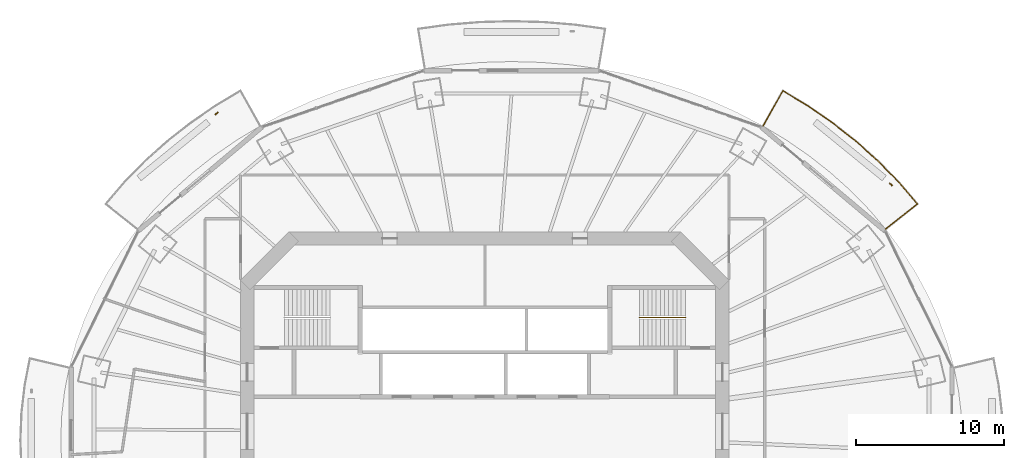
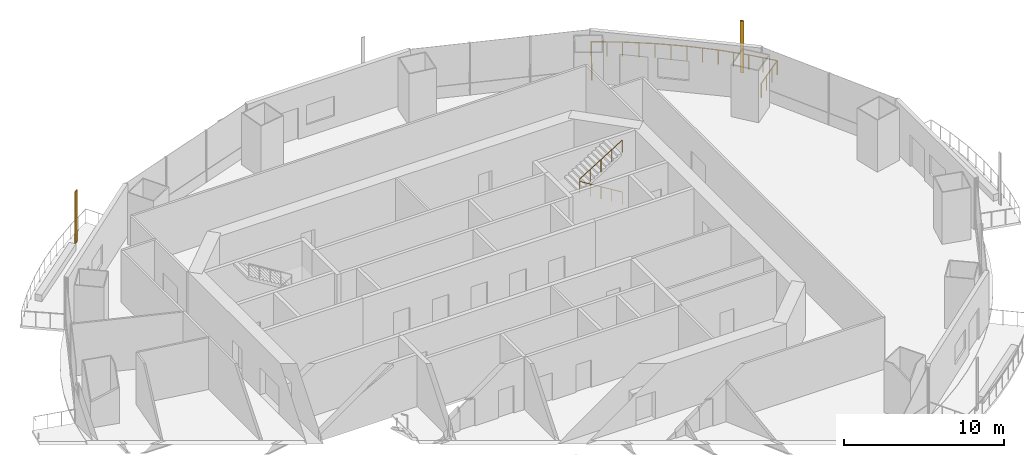
# One storey, part 17 of 19: 2 railings, 2 shading devices.
"""IFC4 building model written with IfcOpenShell, lengths in metres."""

from ifc_helpers import new_model, si_unit, direction, frame, origin, origin_2d, place, context, subcontext, project, spatial, rectangle, circle, extrude, material, material_profile, profile_set, type_object, element, save


model = new_model("IFC4")

# Units and contexts
model_context = context("Model", 3, precision=1e-05, world=origin(), true_north=direction((0.0, 1.0)))
body_context = subcontext(model_context, "Body", "Model", "MODEL_VIEW")
ifc_project = project(units=[si_unit("LENGTHUNIT", "METRE"), si_unit("AREAUNIT", "SQUARE_METRE"), si_unit("VOLUMEUNIT", "CUBIC_METRE"), si_unit("PLANEANGLEUNIT", "RADIAN"), si_unit("MASSUNIT", "GRAM", prefix="KILO")], contexts=[model_context])

# Site, building, storey
site_placement = place(None, origin())
site = spatial("IfcSite", under=ifc_project, at=site_placement, CompositionType="ELEMENT")
building_placement = place(site_placement, origin())
building = spatial("IfcBuilding", under=site, at=building_placement, Name="Marenthal Gate Tower", CompositionType="ELEMENT")
storey_placement = place(building_placement, frame((0.0, 0.0, 235.75)))
storey = spatial("IfcBuildingStorey", under=building, at=storey_placement, Name="L52", CompositionType="ELEMENT", Elevation=235.75)

# Railings
ifc_material_1 = material(Name="Stainless steel", Category="steel")
railing_type_1 = type_object("IfcRailingType", Name="Balcony guard 1100", PredefinedType="GUARDRAIL", material=ifc_material_1)
railing_1_placement = place(storey_placement, frame((18.73974609375, 20.5791015625, 0.0)))
element("IfcRailing", 1, at=railing_1_placement, inside=storey, type_object=railing_type_1, Name="Balcony guard L52 bay 2", PredefinedType="GUARDRAIL", context=body_context, shape_type="SweptSolid", body=[
    extrude(circle(Radius=0.02392578125, at=origin_2d()), frame((0.0, 0.0, 1.076171875), z_axis=(0.489867191078, 0.871672803179, -0.014719351289), x_axis=(-0.871767246537, 0.489920266845, 0.0)), (0.0, 0.0, 1.0), 2.72021484375),
    extrude(circle(Radius=0.02392578125, at=origin_2d()), frame((1.33251953125, 2.37109375, 1.0361328125), z_axis=(0.85600344742, -0.516970113262, 0.0), x_axis=(0.516970113262, 0.85600344742, 0.0)), (0.0, 0.0, 1.0), 1.9716796875),
    extrude(circle(Radius=0.02392578125, at=origin_2d()), frame((3.020263671875, 1.351806640625, 1.0361328125), z_axis=(0.823201188943, -0.567749771046, 0.0), x_axis=(0.567749771046, 0.823201188943, 0.0)), (0.0, 0.0, 1.0), 2.03564453125),
    extrude(circle(Radius=0.02392578125, at=origin_2d()), frame((4.696044921875, 0.196044921875, 1.0361328125), z_axis=(0.785705367394, -0.618600901752, 0.0), x_axis=(0.618600901752, 0.785705367394, 0.0)), (0.0, 0.0, 1.0), 2.01904296875),
    extrude(circle(Radius=0.02392578125, at=origin_2d()), frame((6.282470703125, -1.052978515625, 1.0361328125), z_axis=(0.744239175583, -0.667913205086, 0.0), x_axis=(0.667913205086, 0.744239175583, 0.0)), (0.0, 0.0, 1.0), 2.00244140625),
    extrude(circle(Radius=0.02392578125, at=origin_2d()), frame((7.772705078125, -2.390380859375, 1.0361328125), z_axis=(0.698634154887, -0.715479082591, 0.0), x_axis=(0.715479082591, 0.698634154887, 0.0)), (0.0, 0.0, 1.0), 1.985595703125),
    extrude(circle(Radius=0.02392578125, at=origin_2d()), frame((9.159912109375, -3.81103515625, 1.0361328125), z_axis=(0.649918406787, -0.760003989805, 0.0), x_axis=(0.760003989805, 0.649918406787, 0.0)), (0.0, 0.0, 1.0), 1.889404296875),
    extrude(circle(Radius=0.02392578125, at=origin_2d()), frame((10.387939453125, -5.2470703125, 1.0361328125), z_axis=(-0.782933460254, -0.62193132503, 0.014718143911), x_axis=(0.621998698528, -0.783018275029, 0.0)), (0.0, 0.0, 1.0), 2.720458984375),
    extrude(circle(Radius=0.02099609375, at=origin_2d()), origin(), (0.0, 0.0, 1.0), 1.052001953125),
    extrude(circle(Radius=0.02099609375, at=origin_2d()), frame((0.444091796875, 0.790283203125, -0.013427734375)), (0.0, 0.0, 1.0), 1.052001953125),
    extrude(circle(Radius=0.02099609375, at=origin_2d()), frame((0.888427734375, 1.580810546875, -0.026611328125)), (0.0, 0.0, 1.0), 1.052001953125),
    extrude(circle(Radius=0.02099609375, at=origin_2d()), frame((1.33251953125, 2.37109375, -0.0400390625)), (0.0, 0.0, 1.0), 1.052001953125),
    extrude(circle(Radius=0.02099609375, at=origin_2d()), frame((2.17626953125, 1.861328125, -0.0400390625)), (0.0, 0.0, 1.0), 1.052001953125),
    extrude(circle(Radius=0.02099609375, at=origin_2d()), frame((3.020263671875, 1.351806640625, -0.0400390625)), (0.0, 0.0, 1.0), 1.052001953125),
    extrude(circle(Radius=0.02099609375, at=origin_2d()), frame((3.858154296875, 0.77392578125, -0.0400390625)), (0.0, 0.0, 1.0), 1.052001953125),
    extrude(circle(Radius=0.02099609375, at=origin_2d()), frame((4.696044921875, 0.196044921875, -0.0400390625)), (0.0, 0.0, 1.0), 1.052001953125),
    extrude(circle(Radius=0.02099609375, at=origin_2d()), frame((5.4892578125, -0.428466796875, -0.0400390625)), (0.0, 0.0, 1.0), 1.052001953125),
    extrude(circle(Radius=0.02099609375, at=origin_2d()), frame((6.282470703125, -1.052978515625, -0.0400390625)), (0.0, 0.0, 1.0), 1.052001953125),
    extrude(circle(Radius=0.02099609375, at=origin_2d()), frame((7.027587890625, -1.7216796875, -0.0400390625)), (0.0, 0.0, 1.0), 1.052001953125),
    extrude(circle(Radius=0.02099609375, at=origin_2d()), frame((7.772705078125, -2.390380859375, -0.0400390625)), (0.0, 0.0, 1.0), 1.052001953125),
    extrude(circle(Radius=0.02099609375, at=origin_2d()), frame((8.46630859375, -3.1005859375, -0.0400390625)), (0.0, 0.0, 1.0), 1.052001953125),
    extrude(circle(Radius=0.02099609375, at=origin_2d()), frame((9.159912109375, -3.81103515625, -0.0400390625)), (0.0, 0.0, 1.0), 1.052001953125),
    extrude(circle(Radius=0.02099609375, at=origin_2d()), frame((9.77392578125, -4.529052734375, -0.0400390625)), (0.0, 0.0, 1.0), 1.052001953125),
    extrude(circle(Radius=0.02099609375, at=origin_2d()), frame((10.387939453125, -5.2470703125, -0.0400390625)), (0.0, 0.0, 1.0), 1.052001953125),
    extrude(circle(Radius=0.02099609375, at=origin_2d()), frame((9.677978515625, -5.81103515625, -0.026611328125)), (0.0, 0.0, 1.0), 1.052001953125),
    extrude(circle(Radius=0.02099609375, at=origin_2d()), frame((8.968017578125, -6.375, -0.013427734375)), (0.0, 0.0, 1.0), 1.052001953125),
    extrude(circle(Radius=0.02099609375, at=origin_2d()), frame((8.258056640625, -6.93896484375, 0.0)), (0.0, 0.0, 1.0), 1.052001953125),
])
ifc_material_2 = material(Name="Stainless steel", Category="steel")
railing_type_2 = type_object("IfcRailingType", Name="Stair handrail", PredefinedType="HANDRAIL", material=ifc_material_2)
railing_2_placement = place(storey_placement, frame((13.5, 7.675048828125, 0.1728515625)))
element("IfcRailing", 2, at=railing_2_placement, inside=storey, type_object=railing_type_2, Name="Handrail ST3", PredefinedType="HANDRAIL", context=body_context, shape_type="SweptSolid", body=[
    extrude(circle(Radius=0.0224609375, at=origin_2d()), frame((0.0, 0.0, 0.927490234375), z_axis=(-0.850835241893, 0.0, 0.525432575268), x_axis=(0.0, -1.0, 0.0)), (0.0, 0.0, 1.0), 3.6201171875),
    extrude(circle(Radius=0.0224609375, at=origin_2d()), frame((-3.080078125, 0.0, 2.82958984375), z_axis=(0.0, 0.0, 1.0), x_axis=(1.0, 0.0, 0.0)), (0.0, 0.0, 1.0), 0.1728515625),
    extrude(circle(Radius=0.0224609375, at=origin_2d()), frame((-3.080078125, 0.0, 3.00244140625), z_axis=(0.850835241893, 0.0, 0.525432575268), x_axis=(0.0, 1.0, 0.0)), (0.0, 0.0, 1.0), 3.6201171875),
    extrude(circle(Radius=0.02001953125, at=origin_2d()), origin(), (0.0, 0.0, 1.0), 0.905029296875),
    extrude(circle(Radius=0.02001953125, at=origin_2d()), frame((-0.77001953125, 0.0, 0.4755859375)), (0.0, 0.0, 1.0), 0.905029296875),
    extrude(circle(Radius=0.02001953125, at=origin_2d()), frame((-1.5400390625, 0.0, 0.951171875)), (0.0, 0.0, 1.0), 0.905029296875),
    extrude(circle(Radius=0.02001953125, at=origin_2d()), frame((-2.31005859375, 0.0, 1.426513671875)), (0.0, 0.0, 1.0), 0.905029296875),
    extrude(circle(Radius=0.02001953125, at=origin_2d()), frame((-3.080078125, 0.0, 1.902099609375)), (0.0, 0.0, 1.0), 0.905029296875),
    extrude(circle(Radius=0.02001953125, at=origin_2d()), frame((-3.080078125, 0.0, 2.074951171875)), (0.0, 0.0, 1.0), 0.905029296875),
    extrude(circle(Radius=0.02001953125, at=origin_2d()), frame((-2.31005859375, 0.0, 2.550537109375)), (0.0, 0.0, 1.0), 0.905029296875),
    extrude(circle(Radius=0.02001953125, at=origin_2d()), frame((-1.5400390625, 0.0, 3.02587890625)), (0.0, 0.0, 1.0), 0.905029296875),
    extrude(circle(Radius=0.02001953125, at=origin_2d()), frame((-0.77001953125, 0.0, 3.50146484375)), (0.0, 0.0, 1.0), 0.905029296875),
    extrude(circle(Radius=0.02001953125, at=origin_2d()), frame((0.0, 0.0, 3.97705078125)), (0.0, 0.0, 1.0), 0.905029296875),
])

# Shading devices
ifc_material_3 = material(Name="Terracotta", Category="masonry")
ifc_material_profile = material_profile(ifc_material_3, rectangle(XDim=0.25, YDim=0.080078125, at=origin_2d()), Name="Terracotta baguette 250x80")
ifc_profile_set = profile_set([ifc_material_profile], Name="Terracotta")
shading_device_type = type_object("IfcShadingDeviceType", Name="Terracotta BAGUETTE SCREEN 250x80", PredefinedType="USERDEFINED", material=ifc_profile_set)
for number, where, z_axis, x_axis, name in (
    (3, (27.349853515625, 16.6435546875, -0.0400390625), (0.0, 0.0, 1.0), (-0.765469470301, 0.643472213881, 0.0), "Terracotta BAGUETTE L52 bay 2L"),
    (4, (-18.069091796875, 21.419189453125, -0.0400390625), (0.0, 0.0, 1.0), (-0.765469470301, -0.643472213881, 0.0), "Terracotta BAGUETTE L52 bay 6L"),
):
    element("IfcShadingDevice", number, at=place(storey_placement, frame(where, z_axis=z_axis, x_axis=x_axis)), inside=storey, type_object=shading_device_type, Name=name, ObjectType="BAGUETTE SCREEN", PredefinedType="USERDEFINED", context=body_context, shape_type="SweptSolid", body=[
        extrude(rectangle(XDim=0.25, YDim=0.080078125, at=origin_2d()), origin(), (0.0, 0.0, 1.0), 3.969970703125),
    ])

save(model, "model.ifc")
